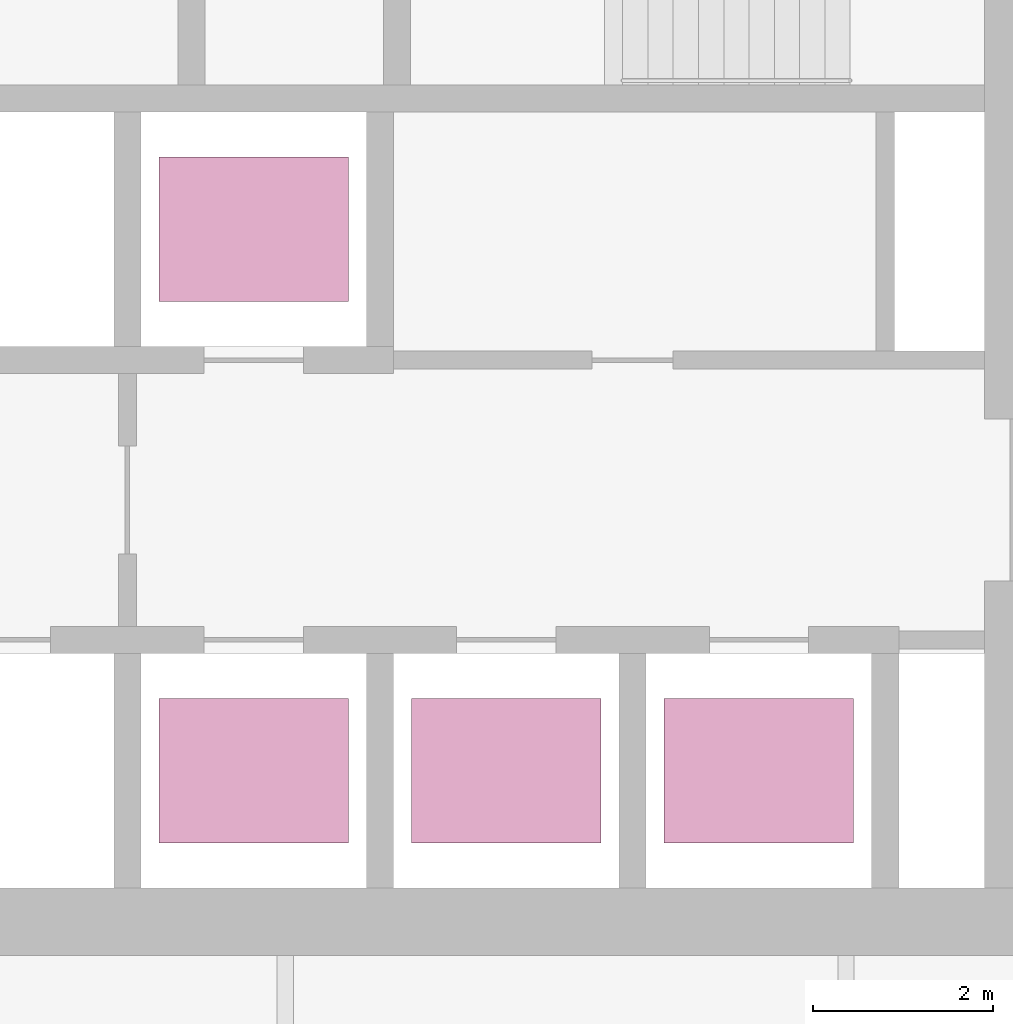
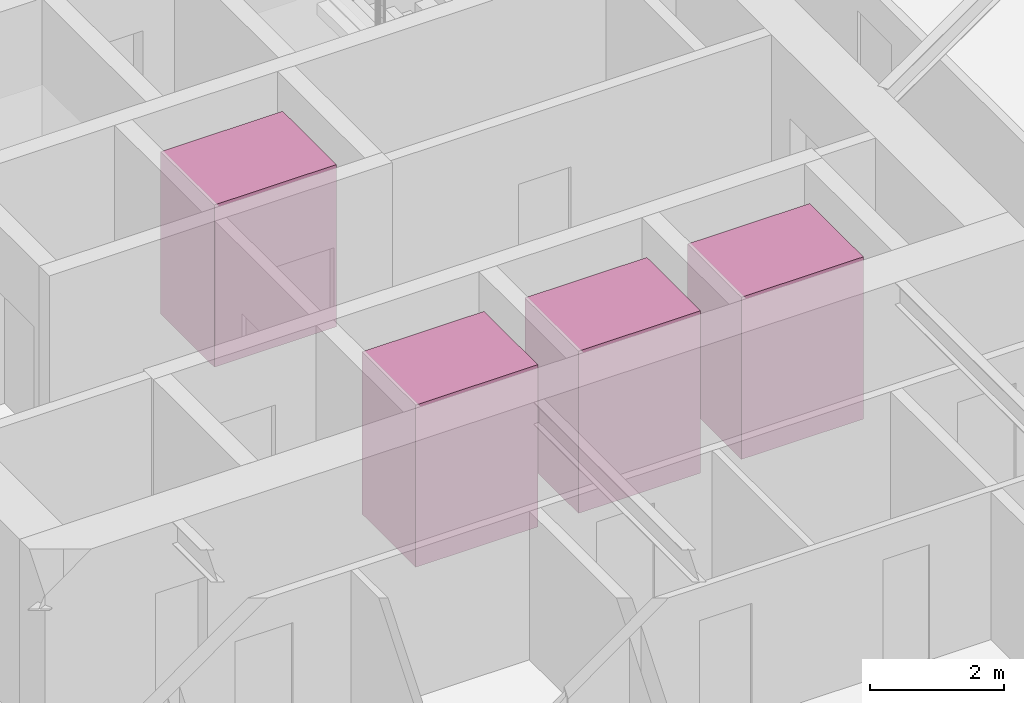
# One storey, part 22 of 23: 4 transport elements.
"""IFC4 building model written with IfcOpenShell, lengths in metres."""

from ifc_helpers import new_model, si_unit, direction, frame, origin, origin_2d, place, context, subcontext, project, spatial, rectangle, extrude, material, type_object, element, save


model = new_model("IFC4")

# Units and contexts
model_context = context("Model", 3, precision=1e-05, world=origin(), true_north=direction((0.0, 1.0)))
body_context = subcontext(model_context, "Body", "Model", "MODEL_VIEW")
ifc_project = project(units=[si_unit("LENGTHUNIT", "METRE"), si_unit("AREAUNIT", "SQUARE_METRE"), si_unit("VOLUMEUNIT", "CUBIC_METRE"), si_unit("PLANEANGLEUNIT", "RADIAN"), si_unit("MASSUNIT", "GRAM", prefix="KILO")], contexts=[model_context])

# Site, building, storey
site_placement = place(None, origin())
site = spatial("IfcSite", under=ifc_project, at=site_placement, CompositionType="ELEMENT")
building_placement = place(site_placement, origin())
building = spatial("IfcBuilding", under=site, at=building_placement, Name="Firuza Gate Tower and Library", CompositionType="ELEMENT")
storey_placement = place(building_placement, frame((0.0, 0.0, 291.60009765625)))
storey = spatial("IfcBuildingStorey", under=building, at=storey_placement, Name="L70", CompositionType="ELEMENT", Elevation=291.60009765625)

# Transport elements
ifc_material = material(Name="Stainless steel and glass", Category="steel")
transport_element_type = type_object("IfcTransportElementType", Name="High-rise lift car 2100x1600", PredefinedType="ELEVATOR", material=ifc_material)
for number, where, z_axis, x_axis, name in (
    (1, (74.64990234375, 70.300048828125, 0.0), (0.0, 0.0, 1.0), (1.0, 0.0, 0.0), "High-rise lift HR1"),
    (2, (77.449951171875, 70.300048828125, 0.0), (0.0, 0.0, 1.0), (1.0, 0.0, 0.0), "High-rise lift HR2"),
    (3, (80.25, 70.300048828125, 0.0), (0.0, 0.0, 1.0), (1.0, 0.0, 0.0), "High-rise lift HR3"),
    (4, (74.64990234375, 76.300048828125, 0.0), (0.0, 0.0, 1.0), (1.0, 0.0, 0.0), "High-rise lift HR4"),
):
    element("IfcTransportElement", number, at=place(storey_placement, frame(where, z_axis=z_axis, x_axis=x_axis)), inside=storey, type_object=transport_element_type, Name=name, PredefinedType="ELEVATOR", context=body_context, shape_type="SweptSolid", body=[
        extrude(rectangle(XDim=2.10009765625, YDim=1.60009765625, at=origin_2d()), origin(), (0.0, 0.0, 1.0), 2.949951171875),
    ])

save(model, "model.ifc")
